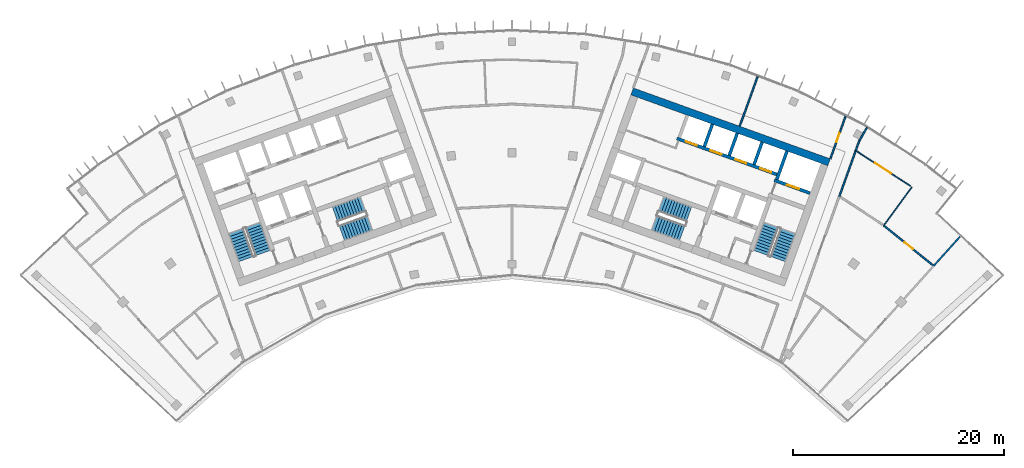
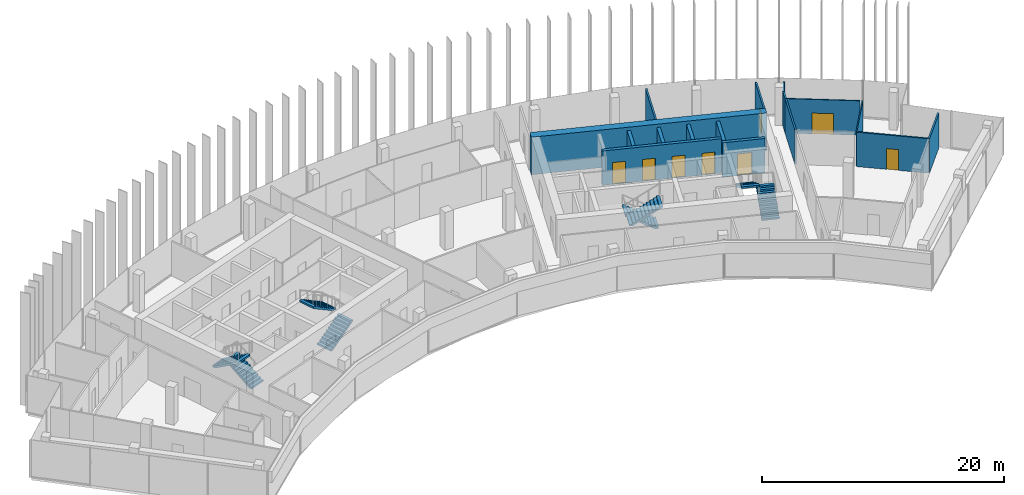
# One storey, part 17 of 18: 16 walls, 8 doors, 8 stair flights, 8 openings, 4 elements without a shape of their own.
"""IFC4 building model written with IfcOpenShell, lengths in metres."""

from ifc_helpers import new_model, si_unit, direction, frame, frame_2d, origin, place, context, subcontext, project, spatial, polyline, rectangle, outline, extrude, material, layer, layer_set, type_object, element, fill, aggregate, save


model = new_model("IFC4")

# Units and contexts
model_context = context("Model", 3, precision=1e-05, world=origin(), true_north=direction((0.0, 1.0)))
body_context = subcontext(model_context, "Body", "Model", "MODEL_VIEW")
ifc_project = project(units=[si_unit("LENGTHUNIT", "METRE"), si_unit("AREAUNIT", "SQUARE_METRE"), si_unit("VOLUMEUNIT", "CUBIC_METRE"), si_unit("PLANEANGLEUNIT", "RADIAN"), si_unit("MASSUNIT", "GRAM", prefix="KILO")], contexts=[model_context])

# Site, building, storey
site_placement = place(None, origin())
site = spatial("IfcSite", under=ifc_project, at=site_placement, CompositionType="ELEMENT")
building_placement = place(site_placement, origin())
building = spatial("IfcBuilding", under=site, at=building_placement, Name="Stone Belt Terrace Tower", CompositionType="ELEMENT")
storey_placement = place(building_placement, frame((0.0, 0.0, 269.39990234375)))
storey = spatial("IfcBuildingStorey", under=building, at=storey_placement, Name="L65", CompositionType="ELEMENT", Elevation=269.39990234375)

# Wall
ifc_material_1 = material(Name="Concrete B60", Category="concrete")
ifc_layer_1 = layer(ifc_material_1, 0.699951171875)
ifc_layer_set_1 = layer_set([ifc_layer_1], Name="Core wall 700 B60")
wall_type_1 = type_object("IfcWallType", Name="Core wall 700 B60", PredefinedType="SHEAR", material=ifc_layer_set_1)
wall_1_placement = place(storey_placement, frame((11.35791015625, 60.795654296875, 0.0), z_axis=(0.0, 0.0, 1.0), x_axis=(0.940919787944, -0.33862952124, 0.0)))
element("IfcWall", 1, at=wall_1_placement, inside=storey, type_object=wall_type_1, Name="Core B wall convex L65", PredefinedType="SHEAR", context=body_context, shape_type="SweptSolid", body=[
    extrude(rectangle(XDim=19.7998046875, YDim=0.699951171875, at=frame_2d((9.89990234375, 0.0))), origin(), (0.0, 0.0, 1.0), 3.800048828125),
])

# Wall, opening, door
ifc_material_2 = material(Name="Concrete B80", Category="concrete")
ifc_layer_2 = layer(ifc_material_2, 0.300048828125)
ifc_layer_set_2 = layer_set([ifc_layer_2], Name="Lift shaft wall 300")
wall_type_2 = type_object("IfcWallType", Name="Lift shaft wall 300", PredefinedType="SHEAR", material=ifc_layer_set_2)
wall_2_placement = place(storey_placement, frame((28.195068359375, 51.17578125, 0.0), z_axis=(0.0, 0.0, 1.0), x_axis=(-0.940901243567, 0.338681044427, 0.0)))
wall_2 = element("IfcWall", 2, at=wall_2_placement, inside=storey, type_object=wall_type_2, Name="Core B wall", PredefinedType="SHEAR", context=body_context, shape_type="SweptSolid", body=[
    extrude(rectangle(XDim=3.599853515625, YDim=0.300048828125, at=frame_2d((1.7998046875, 0.0))), origin(), (0.0, 0.0, 1.0), 3.47998046875),
])
opening_1_placement = place(wall_2_placement, frame((1.1201171875, 0.0, 0.0)))
opening_1 = element("IfcOpeningElement", 3, at=opening_1_placement, cuts=wall_2, Name="Opening L65-LD14", PredefinedType="OPENING", context=body_context, shape_type="SweptSolid", body=[
    extrude(rectangle(XDim=1.199951171875, YDim=2.199951171875, at=frame_2d((0.60009765625, 1.10009765625))), frame((0.0, 0.159912109375, 0.0), z_axis=(0.0, -1.0, 0.0), x_axis=(1.0, 0.0, 0.0)), (0.0, 0.0, 1.0), 0.320068359375),
])
ifc_material_3 = material(Name="Stainless steel door leaf", Category="steel")
door_type_1 = type_object("IfcDoorType", Name="Landing door 1200", OperationType="SLIDING_TO_LEFT", PredefinedType="DOOR", material=ifc_material_3)
door_1_placement = place(opening_1_placement, origin())
door_1 = element("IfcDoor", 4, at=door_1_placement, inside=storey, type_object=door_type_1, Name="Landing door SV1 core B", OperationType="SLIDING_TO_LEFT", OverallHeight=2.199951171875, OverallWidth=1.199951171875, PredefinedType="DOOR", context=body_context, shape_type="SweptSolid", body=[
    extrude(rectangle(XDim=1.199951171875, YDim=2.199951171875, at=frame_2d((0.60009765625, 1.10009765625))), frame((0.0, 0.02490234375, 0.0), z_axis=(0.0, -1.0, 0.0), x_axis=(1.0, 0.0, 0.0)), (0.0, 0.0, 1.0), 0.050048828125),
])
fill(opening_1, door_1)

# Wall
wall_3_placement = place(storey_placement, frame((25.046875, 52.46826171875, 0.0), z_axis=(0.0, 0.0, 1.0), x_axis=(0.338549588058, 0.940948551423, 0.0)))
element("IfcWall", 5, at=wall_3_placement, inside=storey, type_object=wall_type_2, Name="Core B wall", PredefinedType="SHEAR", context=body_context, shape_type="SweptSolid", body=[
    extrude(rectangle(XDim=2.849853515625, YDim=0.300048828125, at=frame_2d((1.4248046875, 0.0))), origin(), (0.0, 0.0, 1.0), 3.47998046875),
])

# Wall, openings, doors
wall_4_placement = place(storey_placement, frame((25.05810546875, 52.9423828125, 0.0), z_axis=(0.0, 0.0, 1.0), x_axis=(-0.940917446785, 0.338636026339, 0.0)))
wall_4 = element("IfcWall", 6, at=wall_4_placement, inside=storey, type_object=wall_type_2, Name="Core B wall", PredefinedType="SHEAR", context=body_context, shape_type="SweptSolid", body=[
    extrude(rectangle(XDim=10.050048828125, YDim=0.300048828125, at=frame_2d((5.02490234375, 0.0))), origin(), (0.0, 0.0, 1.0), 3.47998046875),
])
opening_2_placement = place(wall_4_placement, frame((0.570068359375, 0.0, 0.0)))
opening_2 = element("IfcOpeningElement", 7, at=opening_2_placement, cuts=wall_4, Name="Opening L65-LD08", PredefinedType="OPENING", context=body_context, shape_type="SweptSolid", body=[
    extrude(rectangle(XDim=1.10009765625, YDim=2.199951171875, at=frame_2d((0.550048828125, 1.10009765625))), frame((0.0, 0.159912109375, 0.0), z_axis=(0.0, -1.0, 0.0), x_axis=(1.0, 0.0, 0.0)), (0.0, 0.0, 1.0), 0.320068359375),
])
opening_3_placement = place(wall_4_placement, frame((3.070068359375, 0.0, 0.0)))
opening_3 = element("IfcOpeningElement", 8, at=opening_3_placement, cuts=wall_4, Name="Opening L65-LD09", PredefinedType="OPENING", context=body_context, shape_type="SweptSolid", body=[
    extrude(rectangle(XDim=1.10009765625, YDim=2.199951171875, at=frame_2d((0.550048828125, 1.10009765625))), frame((0.0, 0.159912109375, 0.0), z_axis=(0.0, -1.0, 0.0), x_axis=(1.0, 0.0, 0.0)), (0.0, 0.0, 1.0), 0.320068359375),
])
opening_4_placement = place(wall_4_placement, frame((5.570068359375, 0.0, 0.0)))
opening_4 = element("IfcOpeningElement", 9, at=opening_4_placement, cuts=wall_4, Name="Opening L65-LD10", PredefinedType="OPENING", context=body_context, shape_type="SweptSolid", body=[
    extrude(rectangle(XDim=1.10009765625, YDim=2.199951171875, at=frame_2d((0.550048828125, 1.10009765625))), frame((0.0, 0.159912109375, 0.0), z_axis=(0.0, -1.0, 0.0), x_axis=(1.0, 0.0, 0.0)), (0.0, 0.0, 1.0), 0.320068359375),
])
opening_5_placement = place(wall_4_placement, frame((8.070068359375, 0.0, 0.0)))
opening_5 = element("IfcOpeningElement", 10, at=opening_5_placement, cuts=wall_4, Name="Opening L65-LD11", PredefinedType="OPENING", context=body_context, shape_type="SweptSolid", body=[
    extrude(rectangle(XDim=1.10009765625, YDim=2.199951171875, at=frame_2d((0.550048828125, 1.10009765625))), frame((0.0, 0.159912109375, 0.0), z_axis=(0.0, -1.0, 0.0), x_axis=(1.0, 0.0, 0.0)), (0.0, 0.0, 1.0), 0.320068359375),
])
door_type_2 = type_object("IfcDoorType", Name="Landing door 1100", OperationType="SLIDING_TO_LEFT", PredefinedType="DOOR", material=ifc_material_3)
door_2_placement = place(opening_2_placement, origin())
door_2 = element("IfcDoor", 11, at=door_2_placement, inside=storey, type_object=door_type_2, Name="Landing door HR1 core B", OperationType="SLIDING_TO_LEFT", OverallHeight=2.199951171875, OverallWidth=1.10009765625, PredefinedType="DOOR", context=body_context, shape_type="SweptSolid", body=[
    extrude(rectangle(XDim=1.10009765625, YDim=2.199951171875, at=frame_2d((0.550048828125, 1.10009765625))), frame((0.0, 0.02490234375, 0.0), z_axis=(0.0, -1.0, 0.0), x_axis=(1.0, 0.0, 0.0)), (0.0, 0.0, 1.0), 0.050048828125),
])
fill(opening_2, door_2)
door_3_placement = place(opening_3_placement, origin())
door_3 = element("IfcDoor", 12, at=door_3_placement, inside=storey, type_object=door_type_2, Name="Landing door HR2 core B", OperationType="SLIDING_TO_LEFT", OverallHeight=2.199951171875, OverallWidth=1.10009765625, PredefinedType="DOOR", context=body_context, shape_type="SweptSolid", body=[
    extrude(rectangle(XDim=1.10009765625, YDim=2.199951171875, at=frame_2d((0.550048828125, 1.10009765625))), frame((0.0, 0.02490234375, 0.0), z_axis=(0.0, -1.0, 0.0), x_axis=(1.0, 0.0, 0.0)), (0.0, 0.0, 1.0), 0.050048828125),
])
fill(opening_3, door_3)
door_4_placement = place(opening_4_placement, origin())
door_4 = element("IfcDoor", 13, at=door_4_placement, inside=storey, type_object=door_type_2, Name="Landing door HR3 core B", OperationType="SLIDING_TO_LEFT", OverallHeight=2.199951171875, OverallWidth=1.10009765625, PredefinedType="DOOR", context=body_context, shape_type="SweptSolid", body=[
    extrude(rectangle(XDim=1.10009765625, YDim=2.199951171875, at=frame_2d((0.550048828125, 1.10009765625))), frame((0.0, 0.02490234375, 0.0), z_axis=(0.0, -1.0, 0.0), x_axis=(1.0, 0.0, 0.0)), (0.0, 0.0, 1.0), 0.050048828125),
])
fill(opening_4, door_4)
door_5_placement = place(opening_5_placement, origin())
door_5 = element("IfcDoor", 14, at=door_5_placement, inside=storey, type_object=door_type_2, Name="Landing door HR4 core B", OperationType="SLIDING_TO_LEFT", OverallHeight=2.199951171875, OverallWidth=1.10009765625, PredefinedType="DOOR", context=body_context, shape_type="SweptSolid", body=[
    extrude(rectangle(XDim=1.10009765625, YDim=2.199951171875, at=frame_2d((0.550048828125, 1.10009765625))), frame((0.0, 0.02490234375, 0.0), z_axis=(0.0, -1.0, 0.0), x_axis=(1.0, 0.0, 0.0)), (0.0, 0.0, 1.0), 0.050048828125),
])
fill(opening_5, door_5)

# Walls
wall_5_placement = place(storey_placement, frame((22.897705078125, 53.87939453125, 0.0), z_axis=(0.0, 0.0, 1.0), x_axis=(0.338535034312, 0.940953787677, 0.0)))
element("IfcWall", 15, at=wall_5_placement, inside=storey, type_object=wall_type_2, Name="Core B wall", PredefinedType="SHEAR", context=body_context, shape_type="SweptSolid", body=[
    extrude(rectangle(XDim=2.25, YDim=0.300048828125, at=frame_2d((1.125, 0.0))), origin(), (0.0, 0.0, 1.0), 3.47998046875),
])
wall_6_placement = place(storey_placement, frame((20.54541015625, 54.72607421875, 0.0), z_axis=(0.0, 0.0, 1.0), x_axis=(0.338569601369, 0.940941350472, 0.0)))
element("IfcWall", 16, at=wall_6_placement, inside=storey, type_object=wall_type_2, Name="Core B wall", PredefinedType="SHEAR", context=body_context, shape_type="SweptSolid", body=[
    extrude(rectangle(XDim=2.249755859375, YDim=0.300048828125, at=frame_2d((1.125, 0.0))), origin(), (0.0, 0.0, 1.0), 3.47998046875),
])
wall_7_placement = place(storey_placement, frame((18.193115234375, 55.572509765625, 0.0), z_axis=(0.0, 0.0, 1.0), x_axis=(0.338535034312, 0.940953787677, 0.0)))
element("IfcWall", 17, at=wall_7_placement, inside=storey, type_object=wall_type_2, Name="Core B wall", PredefinedType="SHEAR", context=body_context, shape_type="SweptSolid", body=[
    extrude(rectangle(XDim=2.25, YDim=0.300048828125, at=frame_2d((1.125, 0.0))), origin(), (0.0, 0.0, 1.0), 3.47998046875),
])
ifc_material_4 = material(Name="Gypsum board partition")
ifc_layer_3 = layer(ifc_material_4, 0.10009765625)
ifc_layer_set_3 = layer_set([ifc_layer_3], Name="PARTITION 100")
wall_type_3 = type_object("IfcWallType", Name="PARTITION 100", PredefinedType="PARTITIONING", material=ifc_layer_set_3)
wall_8_placement = place(storey_placement, frame((35.1669921875, 48.10791015625, 0.0), z_axis=(0.0, 0.0, 1.0), x_axis=(0.590276391842, 0.807201202448, 0.0)))
element("IfcWall", 18, at=wall_8_placement, inside=storey, type_object=wall_type_3, Name="L65/wall/i071", PredefinedType="PARTITIONING", context=body_context, shape_type="SweptSolid", body=[
    extrude(rectangle(XDim=4.49951171875, YDim=0.10009765625, at=frame_2d((2.249755859375, 0.0))), origin(), (0.0, 0.0, 1.0), 3.47998046875),
])

# Wall, opening, door
wall_9_placement = place(storey_placement, frame((37.672119140625, 51.85107421875, 0.0), z_axis=(0.0, 0.0, 1.0), x_axis=(-0.838784432024, 0.544463659572, 0.0)))
wall_9 = element("IfcWall", 19, at=wall_9_placement, inside=storey, type_object=wall_type_3, Name="L65/wall/i072", PredefinedType="PARTITIONING", context=body_context, shape_type="SweptSolid", body=[
    extrude(rectangle(XDim=6.15087890625, YDim=0.10009765625, at=frame_2d((3.075439453125, 0.0))), origin(), (0.0, 0.0, 1.0), 3.47998046875),
])
opening_6_placement = place(wall_9_placement, frame((2.17529296875, 0.0, 0.0)))
opening_6 = element("IfcOpeningElement", 20, at=opening_6_placement, cuts=wall_9, Name="Opening D-E1-23", PredefinedType="OPENING", context=body_context, shape_type="SweptSolid", body=[
    extrude(rectangle(XDim=1.800048828125, YDim=2.10009765625, at=frame_2d((0.89990234375, 1.050048828125))), frame((0.0, 0.06005859375, 0.0), z_axis=(0.0, -1.0, 0.0), x_axis=(1.0, 0.0, 0.0)), (0.0, 0.0, 1.0), 0.1201171875),
])
ifc_material_5 = material(Name="Timber door leaf", Category="wood")
door_type_3 = type_object("IfcDoorType", Name="DOUBLE DOOR 1800 X 2100", OperationType="DOUBLE_DOOR_SINGLE_SWING", PredefinedType="DOOR", material=ifc_material_5)
door_6_placement = place(opening_6_placement, origin())
door_6 = element("IfcDoor", 21, at=door_6_placement, inside=storey, type_object=door_type_3, Name="L65/door/i23", OperationType="DOUBLE_DOOR_SINGLE_SWING", OverallHeight=2.10009765625, OverallWidth=1.800048828125, PredefinedType="DOOR", context=body_context, shape_type="SweptSolid", body=[
    extrude(rectangle(XDim=1.800048828125, YDim=2.10009765625, at=frame_2d((0.89990234375, 1.050048828125))), frame((0.0, 0.02490234375, 0.0), z_axis=(0.0, -1.0, 0.0), x_axis=(1.0, 0.0, 0.0)), (0.0, 0.0, 1.0), 0.050048828125),
])
fill(opening_6, door_6)

ifc_layer_4 = layer(ifc_material_4, 0.14990234375)
ifc_layer_set_4 = layer_set([ifc_layer_4], Name="PARTITION 150 EI 60")
wall_type_4 = type_object("IfcWallType", Name="PARTITION 150 EI 60", PredefinedType="PARTITIONING", material=ifc_layer_set_4)
wall_10_placement = place(storey_placement, frame((30.10595703125, 54.4208984375, 0.0), z_axis=(0.0, 0.0, 1.0), x_axis=(0.338725523051, 0.940885232127, 0.0)))
wall_10 = element("IfcWall", 22, at=wall_10_placement, inside=storey, type_object=wall_type_4, Name="L65/wall/i029", PredefinedType="PARTITIONING", context=body_context, shape_type="SweptSolid", body=[
    extrude(rectangle(XDim=4.283447265625, YDim=0.14990234375, at=frame_2d((2.1416015625, 0.0))), origin(), (0.0, 0.0, 1.0), 3.47998046875),
])
opening_7_placement = place(wall_10_placement, frame((1.691650390625, 0.0, 0.0)))
opening_7 = element("IfcOpeningElement", 23, at=opening_7_placement, cuts=wall_10, Name="Opening D-E1-10", PredefinedType="OPENING", context=body_context, shape_type="SweptSolid", body=[
    extrude(rectangle(XDim=0.89990234375, YDim=2.10009765625, at=frame_2d((0.449951171875, 1.050048828125))), frame((0.0, 0.0849609375, 0.0), z_axis=(0.0, -1.0, 0.0), x_axis=(1.0, 0.0, 0.0)), (0.0, 0.0, 1.0), 0.169921875),
])
door_type_4 = type_object("IfcDoorType", Name="OFFICE DOOR 900 X 2100", OperationType="NOTDEFINED", PredefinedType="DOOR", material=ifc_material_5)
door_7_placement = place(opening_7_placement, origin())
door_7 = element("IfcDoor", 24, at=door_7_placement, inside=storey, type_object=door_type_4, Name="L65/door/i10", OperationType="SINGLE_SWING_RIGHT", OverallHeight=2.10009765625, OverallWidth=0.89990234375, PredefinedType="DOOR", context=body_context, shape_type="SweptSolid", body=[
    extrude(rectangle(XDim=0.89990234375, YDim=2.10009765625, at=frame_2d((0.449951171875, 1.050048828125))), frame((0.0, 0.02490234375, 0.0), z_axis=(0.0, -1.0, 0.0), x_axis=(1.0, 0.0, 0.0)), (0.0, 0.0, 1.0), 0.050048828125),
])
fill(opening_7, door_7)

# Walls
wall_11_placement = place(storey_placement, frame((33.576416015625, 57.37841796875, 0.0), z_axis=(0.0, 0.0, 1.0), x_axis=(-0.505064935992, -0.863081346358, 0.0)))
element("IfcWall", 25, at=wall_11_placement, inside=storey, type_object=wall_type_4, Name="L65/wall/i032", PredefinedType="PARTITIONING", context=body_context, shape_type="SweptSolid", body=[
    extrude(rectangle(XDim=1.43603515625, YDim=0.14990234375, at=frame_2d((0.718017578125, 0.0))), origin(), (0.0, 0.0, 1.0), 3.47998046875),
])
wall_12_placement = place(storey_placement, frame((32.85107421875, 56.138916015625, 0.0), z_axis=(0.0, 0.0, 1.0), x_axis=(-0.338676421288, -0.940902907671, 0.0)))
element("IfcWall", 26, at=wall_12_placement, inside=storey, type_object=wall_type_4, Name="L65/wall/i033", PredefinedType="PARTITIONING", context=body_context, shape_type="SweptSolid", body=[
    extrude(rectangle(XDim=1.004150390625, YDim=0.14990234375, at=frame_2d((0.501953125, 0.0))), origin(), (0.0, 0.0, 1.0), 3.47998046875),
])
wall_13_placement = place(storey_placement, frame((32.514892578125, 55.2060546875, 0.0), z_axis=(0.0, 0.0, 1.0), x_axis=(-0.338586142837, -0.940935398356, 0.0)))
element("IfcWall", 27, at=wall_13_placement, inside=storey, type_object=wall_type_4, Name="L65/wall/i034", PredefinedType="PARTITIONING", context=body_context, shape_type="SweptSolid", body=[
    extrude(rectangle(XDim=4.60400390625, YDim=0.14990234375, at=frame_2d((2.302001953125, 0.0))), origin(), (0.0, 0.0, 1.0), 3.47998046875),
])
wall_14_placement = place(storey_placement, frame((23.23291015625, 62.215087890625, 0.0), z_axis=(0.0, 0.0, 1.0), x_axis=(-0.338679756351, -0.940901707214, 0.0)))
element("IfcWall", 28, at=wall_14_placement, inside=storey, type_object=wall_type_4, Name="L65/wall/i041", PredefinedType="PARTITIONING", context=body_context, shape_type="SweptSolid", body=[
    extrude(rectangle(XDim=5.007080078125, YDim=0.14990234375, at=frame_2d((2.50341796875, 0.0))), origin(), (0.0, 0.0, 1.0), 3.47998046875),
])
wall_15_placement = place(storey_placement, frame((39.8759765625, 44.285888671875, 0.0), z_axis=(0.0, 0.0, 1.0), x_axis=(0.669068459203, 0.743200778323, 0.0)))
element("IfcWall", 29, at=wall_15_placement, inside=storey, type_object=wall_type_4, Name="L65/wall/i064", PredefinedType="PARTITIONING", context=body_context, shape_type="SweptSolid", body=[
    extrude(rectangle(XDim=3.770751953125, YDim=0.14990234375, at=frame_2d((1.88525390625, 0.0))), origin(), (0.0, 0.0, 1.0), 3.47998046875),
])

# Wall, opening, door
wall_16_placement = place(storey_placement, frame((35.1669921875, 48.10791015625, 0.0), z_axis=(0.0, 0.0, 1.0), x_axis=(0.777107980833, -0.62936729032, 0.0)))
wall_16 = element("IfcWall", 30, at=wall_16_placement, inside=storey, type_object=wall_type_4, Name="L65/wall/i073", PredefinedType="PARTITIONING", context=body_context, shape_type="SweptSolid", body=[
    extrude(rectangle(XDim=6.064697265625, YDim=0.14990234375, at=frame_2d((3.0322265625, 0.0))), origin(), (0.0, 0.0, 1.0), 3.47998046875),
])
opening_8_placement = place(wall_16_placement, frame((2.532470703125, 0.0, 0.0)))
opening_8 = element("IfcOpeningElement", 31, at=opening_8_placement, cuts=wall_16, Name="Opening D-E1-22", PredefinedType="OPENING", context=body_context, shape_type="SweptSolid", body=[
    extrude(rectangle(XDim=1.0, YDim=2.10009765625, at=frame_2d((0.5, 1.050048828125))), frame((0.0, 0.0849609375, 0.0), z_axis=(0.0, -1.0, 0.0), x_axis=(1.0, 0.0, 0.0)), (0.0, 0.0, 1.0), 0.169921875),
])
ifc_material_6 = material(Name="Timber fire door leaf", Category="wood")
door_type_5 = type_object("IfcDoorType", Name="TENANCY ENTRANCE DOOR 1000 X 2100", OperationType="NOTDEFINED", PredefinedType="DOOR", material=ifc_material_6)
door_8_placement = place(opening_8_placement, origin())
door_8 = element("IfcDoor", 32, at=door_8_placement, inside=storey, type_object=door_type_5, Name="L65/door/i22", OperationType="SINGLE_SWING_RIGHT", OverallHeight=2.10009765625, OverallWidth=1.0, PredefinedType="DOOR", context=body_context, shape_type="SweptSolid", body=[
    extrude(rectangle(XDim=1.0, YDim=2.10009765625, at=frame_2d((0.5, 1.050048828125))), frame((0.0, 0.02490234375, 0.0), z_axis=(0.0, -1.0, 0.0), x_axis=(1.0, 0.0, 0.0)), (0.0, 0.0, 1.0), 0.050048828125),
])
fill(opening_8, door_8)

# Stair, stair flights
ifc_material_7 = material(Name="Concrete B40", Category="concrete")
stair_type = type_object("IfcStairType", Name="Exit stair 1500", PredefinedType="HALF_TURN_STAIR", material=ifc_material_7)
stair_1_placement = place(storey_placement, origin())
stair_1 = element("IfcStair", 33, at=stair_1_placement, inside=storey, type_object=stair_type, Name="L65 Exit stair 1 core A", PredefinedType="HALF_TURN_STAIR")
stair_flight_type = type_object("IfcStairFlightType", Name="Stair flight 1500", PredefinedType="STRAIGHT", material=ifc_material_7)
stair_flight_1_placement = place(storey_placement, frame((-23.55322265625, 45.51318359375, 0.0), z_axis=(0.0, 0.0, 1.0), x_axis=(-0.338624396177, 0.940921632398, 0.0)))
stair_flight_1 = element("IfcStairFlight", 34, at=stair_flight_1_placement, type_object=stair_flight_type, Name="ST1A flight 1", NumberOfRisers=11, NumberOfTreads=10, PredefinedType="STRAIGHT", RiserHeight=0.172727273, TreadLength=0.28, context=body_context, shape_type="SweptSolid", body=[
    extrude(outline(polyline([(0.0, 0.0), (0.0, 0.172607421875), (0.280029296875, 0.172607421875), (0.280029296875, 0.345458984375), (0.56005859375, 0.345458984375), (0.56005859375, 0.51806640625), (0.840087890625, 0.51806640625), (0.840087890625, 0.69091796875), (1.1201171875, 0.69091796875), (1.1201171875, 0.863525390625), (1.39990234375, 0.863525390625), (1.39990234375, 1.036376953125), (1.679931640625, 1.036376953125), (1.679931640625, 1.208984375), (1.9599609375, 1.208984375), (1.9599609375, 1.3818359375), (2.239990234375, 1.3818359375), (2.239990234375, 1.554443359375), (2.52001953125, 1.554443359375), (2.52001953125, 1.727294921875), (2.800048828125, 1.727294921875), (2.800048828125, 1.89990234375), (2.800048828125, 1.551025390625), (0.285400390625, 0.0), (0.0, 0.0)])), frame((0.0, 0.75, 0.0), z_axis=(0.0, -1.0, 0.0), x_axis=(1.0, 0.0, 0.0)), (0.0, 0.0, 1.0), 1.5),
])
stair_flight_2_placement = place(storey_placement, frame((-26.10107421875, 47.572021484375, 1.900146484375), z_axis=(0.0, 0.0, 1.0), x_axis=(0.338624396177, -0.940921632398, 0.0)))
stair_flight_2 = element("IfcStairFlight", 35, at=stair_flight_2_placement, type_object=stair_flight_type, Name="ST1A flight 2", NumberOfRisers=11, NumberOfTreads=10, PredefinedType="STRAIGHT", RiserHeight=0.172727273, TreadLength=0.28, context=body_context, shape_type="SweptSolid", body=[
    extrude(outline(polyline([(0.0, 0.0), (0.0, 0.172607421875), (0.280029296875, 0.172607421875), (0.280029296875, 0.345458984375), (0.56005859375, 0.345458984375), (0.56005859375, 0.51806640625), (0.840087890625, 0.51806640625), (0.840087890625, 0.69091796875), (1.1201171875, 0.69091796875), (1.1201171875, 0.863525390625), (1.39990234375, 0.863525390625), (1.39990234375, 1.036376953125), (1.679931640625, 1.036376953125), (1.679931640625, 1.208984375), (1.9599609375, 1.208984375), (1.9599609375, 1.3818359375), (2.239990234375, 1.3818359375), (2.239990234375, 1.554443359375), (2.52001953125, 1.554443359375), (2.52001953125, 1.727294921875), (2.800048828125, 1.727294921875), (2.800048828125, 1.89990234375), (2.800048828125, 1.551025390625), (0.285400390625, 0.0), (0.0, 0.0)])), frame((0.0, 0.75, 0.0), z_axis=(0.0, -1.0, 0.0), x_axis=(1.0, 0.0, 0.0)), (0.0, 0.0, 1.0), 1.5),
])
aggregate(stair_1, [stair_flight_1, stair_flight_2])

stair_2_placement = place(storey_placement, origin())
stair_2 = element("IfcStair", 36, at=stair_2_placement, inside=storey, type_object=stair_type, Name="L65 Exit stair 2 core A", PredefinedType="HALF_TURN_STAIR")
stair_flight_3_placement = place(storey_placement, frame((-16.101318359375, 47.39794921875, 0.0), z_axis=(0.0, 0.0, 1.0), x_axis=(0.940921632398, 0.338624396177, 0.0)))
stair_flight_3 = element("IfcStairFlight", 37, at=stair_flight_3_placement, type_object=stair_flight_type, Name="ST2A flight 1", NumberOfRisers=11, NumberOfTreads=10, PredefinedType="STRAIGHT", RiserHeight=0.172727273, TreadLength=0.28, context=body_context, shape_type="SweptSolid", body=[
    extrude(outline(polyline([(0.0, 0.0), (0.0, 0.172607421875), (0.280029296875, 0.172607421875), (0.280029296875, 0.345458984375), (0.56005859375, 0.345458984375), (0.56005859375, 0.51806640625), (0.840087890625, 0.51806640625), (0.840087890625, 0.69091796875), (1.1201171875, 0.69091796875), (1.1201171875, 0.863525390625), (1.39990234375, 0.863525390625), (1.39990234375, 1.036376953125), (1.679931640625, 1.036376953125), (1.679931640625, 1.208984375), (1.9599609375, 1.208984375), (1.9599609375, 1.3818359375), (2.239990234375, 1.3818359375), (2.239990234375, 1.554443359375), (2.52001953125, 1.554443359375), (2.52001953125, 1.727294921875), (2.800048828125, 1.727294921875), (2.800048828125, 1.89990234375), (2.800048828125, 1.551025390625), (0.285400390625, 0.0), (0.0, 0.0)])), frame((0.0, 0.75, 0.0), z_axis=(0.0, -1.0, 0.0), x_axis=(1.0, 0.0, 0.0)), (0.0, 0.0, 1.0), 1.5),
])
stair_flight_4_placement = place(storey_placement, frame((-14.110107421875, 50.1337890625, 1.900146484375), z_axis=(0.0, 0.0, 1.0), x_axis=(-0.940921632398, -0.338624396177, 0.0)))
stair_flight_4 = element("IfcStairFlight", 38, at=stair_flight_4_placement, type_object=stair_flight_type, Name="ST2A flight 2", NumberOfRisers=11, NumberOfTreads=10, PredefinedType="STRAIGHT", RiserHeight=0.172727273, TreadLength=0.28, context=body_context, shape_type="SweptSolid", body=[
    extrude(outline(polyline([(0.0, 0.0), (0.0, 0.172607421875), (0.280029296875, 0.172607421875), (0.280029296875, 0.345458984375), (0.56005859375, 0.345458984375), (0.56005859375, 0.51806640625), (0.840087890625, 0.51806640625), (0.840087890625, 0.69091796875), (1.1201171875, 0.69091796875), (1.1201171875, 0.863525390625), (1.39990234375, 0.863525390625), (1.39990234375, 1.036376953125), (1.679931640625, 1.036376953125), (1.679931640625, 1.208984375), (1.9599609375, 1.208984375), (1.9599609375, 1.3818359375), (2.239990234375, 1.3818359375), (2.239990234375, 1.554443359375), (2.52001953125, 1.554443359375), (2.52001953125, 1.727294921875), (2.800048828125, 1.727294921875), (2.800048828125, 1.89990234375), (2.800048828125, 1.551025390625), (0.285400390625, 0.0), (0.0, 0.0)])), frame((0.0, 0.75, 0.0), z_axis=(0.0, -1.0, 0.0), x_axis=(1.0, 0.0, 0.0)), (0.0, 0.0, 1.0), 1.5),
])
aggregate(stair_2, [stair_flight_3, stair_flight_4])

stair_3_placement = place(storey_placement, origin())
stair_3 = element("IfcStair", 39, at=stair_3_placement, inside=storey, type_object=stair_type, Name="L65 Exit stair 1 core B", PredefinedType="HALF_TURN_STAIR")
stair_flight_5_placement = place(storey_placement, frame((25.15283203125, 44.9375, 0.0), z_axis=(0.0, 0.0, 1.0), x_axis=(0.338624396177, 0.940921632398, 0.0)))
stair_flight_5 = element("IfcStairFlight", 40, at=stair_flight_5_placement, type_object=stair_flight_type, Name="ST1B flight 1", NumberOfRisers=11, NumberOfTreads=10, PredefinedType="STRAIGHT", RiserHeight=0.172727273, TreadLength=0.28, context=body_context, shape_type="SweptSolid", body=[
    extrude(outline(polyline([(0.0, 0.0), (0.0, 0.172607421875), (0.280029296875, 0.172607421875), (0.280029296875, 0.345458984375), (0.56005859375, 0.345458984375), (0.56005859375, 0.51806640625), (0.840087890625, 0.51806640625), (0.840087890625, 0.69091796875), (1.1201171875, 0.69091796875), (1.1201171875, 0.863525390625), (1.39990234375, 0.863525390625), (1.39990234375, 1.036376953125), (1.679931640625, 1.036376953125), (1.679931640625, 1.208984375), (1.9599609375, 1.208984375), (1.9599609375, 1.3818359375), (2.239990234375, 1.3818359375), (2.239990234375, 1.554443359375), (2.52001953125, 1.554443359375), (2.52001953125, 1.727294921875), (2.800048828125, 1.727294921875), (2.800048828125, 1.89990234375), (2.800048828125, 1.551025390625), (0.285400390625, 0.0), (0.0, 0.0)])), frame((0.0, 0.75, 0.0), z_axis=(0.0, -1.0, 0.0), x_axis=(1.0, 0.0, 0.0)), (0.0, 0.0, 1.0), 1.5),
])
stair_flight_6_placement = place(storey_placement, frame((24.50146484375, 48.147705078125, 1.900146484375), z_axis=(0.0, 0.0, 1.0), x_axis=(-0.338624396177, -0.940921632398, 0.0)))
stair_flight_6 = element("IfcStairFlight", 41, at=stair_flight_6_placement, type_object=stair_flight_type, Name="ST1B flight 2", NumberOfRisers=11, NumberOfTreads=10, PredefinedType="STRAIGHT", RiserHeight=0.172727273, TreadLength=0.28, context=body_context, shape_type="SweptSolid", body=[
    extrude(outline(polyline([(0.0, 0.0), (0.0, 0.172607421875), (0.280029296875, 0.172607421875), (0.280029296875, 0.345458984375), (0.56005859375, 0.345458984375), (0.56005859375, 0.51806640625), (0.840087890625, 0.51806640625), (0.840087890625, 0.69091796875), (1.1201171875, 0.69091796875), (1.1201171875, 0.863525390625), (1.39990234375, 0.863525390625), (1.39990234375, 1.036376953125), (1.679931640625, 1.036376953125), (1.679931640625, 1.208984375), (1.9599609375, 1.208984375), (1.9599609375, 1.3818359375), (2.239990234375, 1.3818359375), (2.239990234375, 1.554443359375), (2.52001953125, 1.554443359375), (2.52001953125, 1.727294921875), (2.800048828125, 1.727294921875), (2.800048828125, 1.89990234375), (2.800048828125, 1.551025390625), (0.285400390625, 0.0), (0.0, 0.0)])), frame((0.0, 0.75, 0.0), z_axis=(0.0, -1.0, 0.0), x_axis=(1.0, 0.0, 0.0)), (0.0, 0.0, 1.0), 1.5),
])
aggregate(stair_3, [stair_flight_5, stair_flight_6])

stair_4_placement = place(storey_placement, origin())
stair_4 = element("IfcStair", 42, at=stair_4_placement, inside=storey, type_object=stair_type, Name="L65 Exit stair 2 core B", PredefinedType="HALF_TURN_STAIR")
stair_flight_7_placement = place(storey_placement, frame((16.74462890625, 49.185546875, 0.0), z_axis=(0.0, 0.0, 1.0), x_axis=(-0.940921632398, 0.338624396177, 0.0)))
stair_flight_7 = element("IfcStairFlight", 43, at=stair_flight_7_placement, type_object=stair_flight_type, Name="ST2B flight 1", NumberOfRisers=11, NumberOfTreads=10, PredefinedType="STRAIGHT", RiserHeight=0.172727273, TreadLength=0.28, context=body_context, shape_type="SweptSolid", body=[
    extrude(outline(polyline([(0.0, 0.0), (0.0, 0.172607421875), (0.280029296875, 0.172607421875), (0.280029296875, 0.345458984375), (0.56005859375, 0.345458984375), (0.56005859375, 0.51806640625), (0.840087890625, 0.51806640625), (0.840087890625, 0.69091796875), (1.1201171875, 0.69091796875), (1.1201171875, 0.863525390625), (1.39990234375, 0.863525390625), (1.39990234375, 1.036376953125), (1.679931640625, 1.036376953125), (1.679931640625, 1.208984375), (1.9599609375, 1.208984375), (1.9599609375, 1.3818359375), (2.239990234375, 1.3818359375), (2.239990234375, 1.554443359375), (2.52001953125, 1.554443359375), (2.52001953125, 1.727294921875), (2.800048828125, 1.727294921875), (2.800048828125, 1.89990234375), (2.800048828125, 1.551025390625), (0.285400390625, 0.0), (0.0, 0.0)])), frame((0.0, 0.75, 0.0), z_axis=(0.0, -1.0, 0.0), x_axis=(1.0, 0.0, 0.0)), (0.0, 0.0, 1.0), 1.5),
])
stair_flight_8_placement = place(storey_placement, frame((13.466796875, 48.345947265625, 1.900146484375), z_axis=(0.0, 0.0, 1.0), x_axis=(0.940921632398, -0.338624396177, 0.0)))
stair_flight_8 = element("IfcStairFlight", 44, at=stair_flight_8_placement, type_object=stair_flight_type, Name="ST2B flight 2", NumberOfRisers=11, NumberOfTreads=10, PredefinedType="STRAIGHT", RiserHeight=0.172727273, TreadLength=0.28, context=body_context, shape_type="SweptSolid", body=[
    extrude(outline(polyline([(0.0, 0.0), (0.0, 0.172607421875), (0.280029296875, 0.172607421875), (0.280029296875, 0.345458984375), (0.56005859375, 0.345458984375), (0.56005859375, 0.51806640625), (0.840087890625, 0.51806640625), (0.840087890625, 0.69091796875), (1.1201171875, 0.69091796875), (1.1201171875, 0.863525390625), (1.39990234375, 0.863525390625), (1.39990234375, 1.036376953125), (1.679931640625, 1.036376953125), (1.679931640625, 1.208984375), (1.9599609375, 1.208984375), (1.9599609375, 1.3818359375), (2.239990234375, 1.3818359375), (2.239990234375, 1.554443359375), (2.52001953125, 1.554443359375), (2.52001953125, 1.727294921875), (2.800048828125, 1.727294921875), (2.800048828125, 1.89990234375), (2.800048828125, 1.551025390625), (0.285400390625, 0.0), (0.0, 0.0)])), frame((0.0, 0.75, 0.0), z_axis=(0.0, -1.0, 0.0), x_axis=(1.0, 0.0, 0.0)), (0.0, 0.0, 1.0), 1.5),
])
aggregate(stair_4, [stair_flight_7, stair_flight_8])

save(model, "model.ifc")
